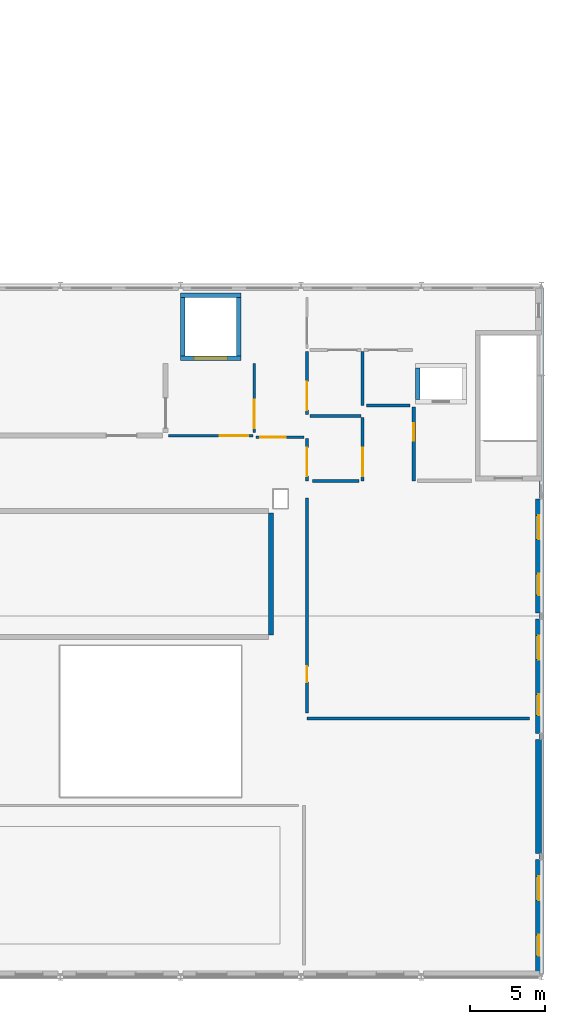
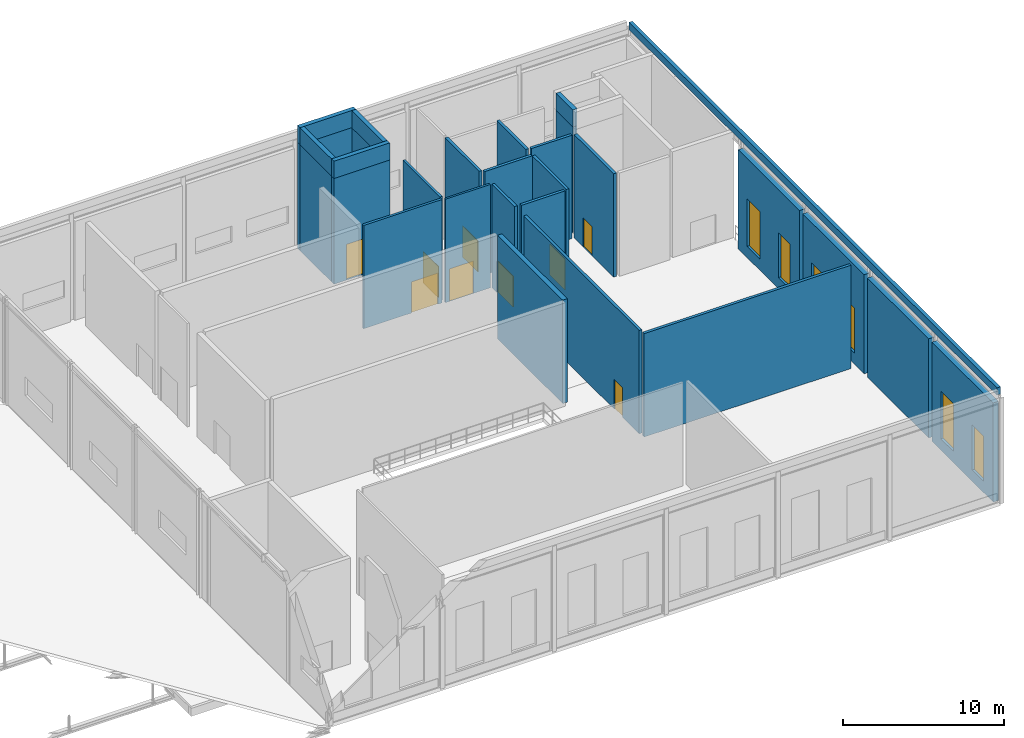
# One storey, part 43 of 49: 29 walls, 9 doors, 6 windows, 15 openings.
"""IFC4 building model written with IfcOpenShell, lengths in metres."""

from ifc_helpers import new_model, si_unit, direction, frame, frame_2d, origin, place, context, subcontext, project, spatial, rectangle, extrude, material, layer, layer_set, type_object, element, fill, save


model = new_model("IFC4")

# Units and contexts
model_context = context("Model", 3, precision=1e-05, world=origin(), true_north=direction((0.0, 1.0)))
body_context = subcontext(model_context, "Body", "Model", "MODEL_VIEW")
ifc_project = project(units=[si_unit("LENGTHUNIT", "METRE"), si_unit("AREAUNIT", "SQUARE_METRE"), si_unit("VOLUMEUNIT", "CUBIC_METRE"), si_unit("PLANEANGLEUNIT", "RADIAN"), si_unit("MASSUNIT", "GRAM", prefix="KILO")], contexts=[model_context])

# Site, building, storey
site_placement = place(None, origin())
site = spatial("IfcSite", under=ifc_project, at=site_placement, CompositionType="ELEMENT")
building_placement = place(site_placement, origin())
building = spatial("IfcBuilding", under=site, at=building_placement, Name="Sundkrona Museum", CompositionType="ELEMENT")
storey_placement = place(building_placement, frame((0.0, 0.0, 26.0)))
storey = spatial("IfcBuildingStorey", under=building, at=storey_placement, Name="L05", CompositionType="ELEMENT", Elevation=26.0)

# Walls
ifc_material_1 = material(Name="Concrete C40/50", Category="concrete")
ifc_layer_1 = layer(ifc_material_1, 0.330078125)
ifc_layer_set_1 = layer_set([ifc_layer_1], Name="Concrete C40/50")
wall_type_1 = type_object("IfcWallType", Name="W-ARC-120", PredefinedType="SOLIDWALL", material=ifc_layer_set_1)
wall_1_placement = place(storey_placement, frame((150.0, 22.75, 0.0), z_axis=(0.0, 0.0, 1.0), x_axis=(0.0, 1.0, 0.0)))
element("IfcWall", 1, at=wall_1_placement, inside=storey, type_object=wall_type_1, Name="L05 Herbarium Specimen Archive Enclosure Wall E", PredefinedType="SOLIDWALL", context=body_context, shape_type="SweptSolid", body=[
    extrude(rectangle(XDim=8.10009765625, YDim=0.330078125, at=frame_2d((4.050048828125, 0.0))), origin(), (0.0, 0.0, 1.0), 7.820068359375),
])
ifc_layer_2 = layer(ifc_material_1, 0.300048828125)
ifc_layer_set_2 = layer_set([ifc_layer_2], Name="Concrete C40/50")
wall_type_2 = type_object("IfcWallType", Name="W-CORE-300", PredefinedType="SHEAR", material=ifc_layer_set_2)
wall_2_placement = place(storey_placement, frame((159.75, 38.409912109375, 0.0), z_axis=(0.0, 0.0, 1.0), x_axis=(0.0, 1.0, 0.0)))
element("IfcWall", 2, at=wall_2_placement, inside=storey, type_object=wall_type_2, Name="L05 PL-1 Lift Shaft Wall West", PredefinedType="SHEAR", context=body_context, shape_type="SweptSolid", body=[
    extrude(rectangle(XDim=2.080078125, YDim=0.300048828125, at=frame_2d((1.0400390625, 0.0))), origin(), (0.0, 0.0, 1.0), 8.0),
])
wall_3_placement = place(storey_placement, frame((159.75, 38.409912109375, 8.0), z_axis=(0.0, 0.0, 1.0), x_axis=(0.0, 1.0, 0.0)))
element("IfcWall", 3, at=wall_3_placement, inside=storey, type_object=wall_type_2, Name="PL-1 Lift Overrun Wall West", PredefinedType="SHEAR", context=body_context, shape_type="SweptSolid", body=[
    extrude(rectangle(XDim=2.080078125, YDim=0.300048828125, at=frame_2d((1.0400390625, 0.0))), origin(), (0.0, 0.0, 1.0), 1.300048828125),
])

# Wall, opening, door
wall_4_placement = place(storey_placement, frame((144.0, 41.14990234375, 0.0), z_axis=(0.0, 0.0, 1.0), x_axis=(1.0, 0.0, 0.0)))
wall_4 = element("IfcWall", 4, at=wall_4_placement, inside=storey, type_object=wall_type_2, Name="L05 GL-1 Lift Shaft Wall South", PredefinedType="SHEAR", context=body_context, shape_type="SweptSolid", body=[
    extrude(rectangle(XDim=4.0, YDim=0.300048828125, at=frame_2d((2.0, 0.0))), origin(), (0.0, 0.0, 1.0), 8.0),
])
opening_1_placement = place(wall_4_placement, frame((0.89990234375, 0.0, 0.0)))
opening_1 = element("IfcOpeningElement", 5, at=opening_1_placement, cuts=wall_4, Name="Opening LD-GL", PredefinedType="OPENING", context=body_context, shape_type="SweptSolid", body=[
    extrude(rectangle(XDim=2.199951171875, YDim=2.699951171875, at=frame_2d((1.10009765625, 1.35009765625))), frame((0.0, 0.159912109375, 0.0), z_axis=(0.0, -1.0, 0.0), x_axis=(1.0, 0.0, 0.0)), (0.0, 0.0, 1.0), 0.320068359375),
])
ifc_material_2 = material(Name="Heavy Stainless Steel Goods Lift Door", Category="steel")
door_type_1 = type_object("IfcDoorType", Name="LD-GL", OperationType="DOUBLE_DOOR_SLIDING", PredefinedType="DOOR", material=ifc_material_2)
door_1_placement = place(opening_1_placement, origin())
door_1 = element("IfcDoor", 6, at=door_1_placement, inside=storey, type_object=door_type_1, Name="L05 Goods Lift Landing Door DR-LIFT-GL-1-L05", OperationType="DOUBLE_DOOR_SLIDING", OverallHeight=2.699951171875, OverallWidth=2.199951171875, PredefinedType="DOOR", context=body_context, shape_type="SweptSolid", body=[
    extrude(rectangle(XDim=2.199951171875, YDim=2.699951171875, at=frame_2d((1.10009765625, 1.35009765625))), frame((0.0, 0.02490234375, 0.0), z_axis=(0.0, -1.0, 0.0), x_axis=(1.0, 0.0, 0.0)), (0.0, 0.0, 1.0), 0.050048828125),
])
fill(opening_1, door_1)

# Walls
wall_5_placement = place(storey_placement, frame((144.0, 45.35009765625, 0.0), z_axis=(0.0, 0.0, 1.0), x_axis=(1.0, 0.0, 0.0)))
element("IfcWall", 7, at=wall_5_placement, inside=storey, type_object=wall_type_2, Name="L05 GL-1 Lift Shaft Wall North", PredefinedType="SHEAR", context=body_context, shape_type="SweptSolid", body=[
    extrude(rectangle(XDim=4.0, YDim=0.300048828125, at=frame_2d((2.0, 0.0))), origin(), (0.0, 0.0, 1.0), 8.0),
])
for number, where, z_axis, x_axis, name in (
    (8, (144.14990234375, 41.31005859375, 0.0), (0.0, 0.0, 1.0), (0.0, 1.0, 0.0), "L05 GL-1 Lift Shaft Wall West"),
    (9, (147.85009765625, 41.31005859375, 0.0), (0.0, 0.0, 1.0), (0.0, 1.0, 0.0), "L05 GL-1 Lift Shaft Wall East"),
):
    element("IfcWall", number, at=place(storey_placement, frame(where, z_axis=z_axis, x_axis=x_axis)), inside=storey, type_object=wall_type_2, Name=name, PredefinedType="SHEAR", context=body_context, shape_type="SweptSolid", body=[
        extrude(rectangle(XDim=3.8798828125, YDim=0.300048828125, at=frame_2d((1.93994140625, 0.0))), origin(), (0.0, 0.0, 1.0), 8.0),
    ])
for number, where, z_axis, x_axis, name in (
    (10, (144.0, 41.14990234375, 8.0), (0.0, 0.0, 1.0), (1.0, 0.0, 0.0), "GL-1 Lift Overrun Wall South"),
    (11, (144.0, 45.35009765625, 8.0), (0.0, 0.0, 1.0), (1.0, 0.0, 0.0), "GL-1 Lift Overrun Wall North"),
):
    element("IfcWall", number, at=place(storey_placement, frame(where, z_axis=z_axis, x_axis=x_axis)), inside=storey, type_object=wall_type_2, Name=name, PredefinedType="SHEAR", context=body_context, shape_type="SweptSolid", body=[
        extrude(rectangle(XDim=4.0, YDim=0.300048828125, at=frame_2d((2.0, 0.0))), origin(), (0.0, 0.0, 1.0), 1.300048828125),
    ])
for number, where, z_axis, x_axis, name in (
    (12, (144.14990234375, 41.31005859375, 8.0), (0.0, 0.0, 1.0), (0.0, 1.0, 0.0), "GL-1 Lift Overrun Wall West"),
    (13, (147.85009765625, 41.31005859375, 8.0), (0.0, 0.0, 1.0), (0.0, 1.0, 0.0), "GL-1 Lift Overrun Wall East"),
):
    element("IfcWall", number, at=place(storey_placement, frame(where, z_axis=z_axis, x_axis=x_axis)), inside=storey, type_object=wall_type_2, Name=name, PredefinedType="SHEAR", context=body_context, shape_type="SweptSolid", body=[
        extrude(rectangle(XDim=3.8798828125, YDim=0.300048828125, at=frame_2d((1.93994140625, 0.0))), origin(), (0.0, 0.0, 1.0), 1.300048828125),
    ])

# Wall, openings, windows
ifc_material_3 = material(Name="Scanian Polychrome Clay Brickwork 390 mm", Category="masonry")
ifc_layer_3 = layer(ifc_material_3, 0.389892578125)
ifc_layer_set_3 = layer_set([ifc_layer_3], Name="Scanian Polychrome Clay Brickwork 390 mm")
wall_type_3 = type_object("IfcWallType", Name="W-EX-390", PredefinedType="SOLIDWALL", material=ifc_layer_set_3)
wall_6_placement = place(storey_placement, frame((167.804931640625, 7.798095703125, 0.0), z_axis=(0.0, 0.0, 1.0), x_axis=(0.0, -1.0, 0.0)))
wall_6 = element("IfcWall", 14, at=wall_6_placement, inside=storey, type_object=wall_type_3, Name="L05 Facade Wall 0074", PredefinedType="SOLIDWALL", context=body_context, shape_type="SweptSolid", body=[
    extrude(rectangle(XDim=7.59619140625, YDim=0.389892578125, at=frame_2d((3.798095703125, 0.0))), origin(), (0.0, 0.0, 1.0), 7.4951171875),
])
opening_2_placement = place(wall_6_placement, frame((1.09912109375, 0.0, 0.85009765625)))
opening_2 = element("IfcOpeningElement", 15, at=opening_2_placement, cuts=wall_6, Name="Opening WN-LN-160x360", PredefinedType="OPENING", context=body_context, shape_type="SweptSolid", body=[
    extrude(rectangle(XDim=1.60009765625, YDim=3.60009765625, at=frame_2d((0.800048828125, 1.800048828125))), frame((0.0, 0.204833984375, 0.0), z_axis=(0.0, -1.0, 0.0), x_axis=(1.0, 0.0, 0.0)), (0.0, 0.0, 1.0), 0.409912109375),
])
opening_3_placement = place(wall_6_placement, frame((4.9970703125, 0.0, 0.85009765625)))
opening_3 = element("IfcOpeningElement", 16, at=opening_3_placement, cuts=wall_6, Name="Opening WN-LN-140x340", PredefinedType="OPENING", context=body_context, shape_type="SweptSolid", body=[
    extrude(rectangle(XDim=1.39990234375, YDim=3.39990234375, at=frame_2d((0.699951171875, 1.699951171875))), frame((0.0, 0.204833984375, 0.0), z_axis=(0.0, -1.0, 0.0), x_axis=(1.0, 0.0, 0.0)), (0.0, 0.0, 1.0), 0.409912109375),
])
ifc_material_4 = material(Name="Triple Low-E Argon Glazing in Bronze-Anodised Aluminium", Category="aluminium")
window_type_1 = type_object("IfcWindowType", Name="WN-LN-140x340", PartitioningType="SINGLE_PANEL", PredefinedType="WINDOW", material=ifc_material_4)
window_1_placement = place(opening_3_placement, origin())
window_1 = element("IfcWindow", 17, at=window_1_placement, inside=storey, type_object=window_type_1, Name="L05 Tall brick-pier gallery window 1400x3400 WIN-L05-0102", OverallHeight=3.39990234375, OverallWidth=1.39990234375, PartitioningType="SINGLE_PANEL", PredefinedType="WINDOW", context=body_context, shape_type="SweptSolid", body=[
    extrude(rectangle(XDim=1.39990234375, YDim=3.39990234375, at=frame_2d((0.699951171875, 1.699951171875))), frame((0.0, 0.030029296875, 0.0), z_axis=(0.0, -1.0, 0.0), x_axis=(1.0, 0.0, 0.0)), (0.0, 0.0, 1.0), 0.06005859375),
])
fill(opening_3, window_1)
window_type_2 = type_object("IfcWindowType", Name="WN-LN-160x360", PartitioningType="DOUBLE_PANEL_VERTICAL", PredefinedType="WINDOW", material=ifc_material_4)
window_2_placement = place(opening_2_placement, origin())
window_2 = element("IfcWindow", 18, at=window_2_placement, inside=storey, type_object=window_type_2, Name="L05 Monumental double-height lancet window 1600x3600 WIN-L05-0101", OverallHeight=3.60009765625, OverallWidth=1.60009765625, PartitioningType="DOUBLE_PANEL_VERTICAL", PredefinedType="WINDOW", context=body_context, shape_type="SweptSolid", body=[
    extrude(rectangle(XDim=1.60009765625, YDim=3.60009765625, at=frame_2d((0.800048828125, 1.800048828125))), frame((0.0, 0.030029296875, 0.0), z_axis=(0.0, -1.0, 0.0), x_axis=(1.0, 0.0, 0.0)), (0.0, 0.0, 1.0), 0.06005859375),
])
fill(opening_2, window_2)

# Wall
wall_7_placement = place(storey_placement, frame((167.804931640625, 15.798095703125, 0.0), z_axis=(0.0, 0.0, 1.0), x_axis=(0.0, -1.0, 0.0)))
element("IfcWall", 19, at=wall_7_placement, inside=storey, type_object=wall_type_3, Name="L05 Facade Wall 0075", PredefinedType="SOLIDWALL", context=body_context, shape_type="SweptSolid", body=[
    extrude(rectangle(XDim=7.59619140625, YDim=0.389892578125, at=frame_2d((3.798095703125, 0.0))), origin(), (0.0, 0.0, 1.0), 7.4951171875),
])

# Wall, openings, windows
wall_8_placement = place(storey_placement, frame((167.804931640625, 23.798095703125, 0.0), z_axis=(0.0, 0.0, 1.0), x_axis=(0.0, -1.0, 0.0)))
wall_8 = element("IfcWall", 20, at=wall_8_placement, inside=storey, type_object=wall_type_3, Name="L05 Facade Wall 0076", PredefinedType="SOLIDWALL", context=body_context, shape_type="SweptSolid", body=[
    extrude(rectangle(XDim=7.59619140625, YDim=0.389892578125, at=frame_2d((3.798095703125, 0.0))), origin(), (0.0, 0.0, 1.0), 7.4951171875),
])
opening_4_placement = place(wall_8_placement, frame((1.09912109375, 0.0, 0.85009765625)))
opening_4 = element("IfcOpeningElement", 21, at=opening_4_placement, cuts=wall_8, Name="Opening WN-LN-160x360", PredefinedType="OPENING", context=body_context, shape_type="SweptSolid", body=[
    extrude(rectangle(XDim=1.60009765625, YDim=3.60009765625, at=frame_2d((0.800048828125, 1.800048828125))), frame((0.0, 0.204833984375, 0.0), z_axis=(0.0, -1.0, 0.0), x_axis=(1.0, 0.0, 0.0)), (0.0, 0.0, 1.0), 0.409912109375),
])
opening_5_placement = place(wall_8_placement, frame((4.9970703125, 0.0, 0.85009765625)))
opening_5 = element("IfcOpeningElement", 22, at=opening_5_placement, cuts=wall_8, Name="Opening WN-LN-140x340", PredefinedType="OPENING", context=body_context, shape_type="SweptSolid", body=[
    extrude(rectangle(XDim=1.39990234375, YDim=3.39990234375, at=frame_2d((0.699951171875, 1.699951171875))), frame((0.0, 0.204833984375, 0.0), z_axis=(0.0, -1.0, 0.0), x_axis=(1.0, 0.0, 0.0)), (0.0, 0.0, 1.0), 0.409912109375),
])
window_3_placement = place(opening_5_placement, origin())
window_3 = element("IfcWindow", 23, at=window_3_placement, inside=storey, type_object=window_type_1, Name="L05 Tall brick-pier gallery window 1400x3400 WIN-L05-0104", OverallHeight=3.39990234375, OverallWidth=1.39990234375, PartitioningType="SINGLE_PANEL", PredefinedType="WINDOW", context=body_context, shape_type="SweptSolid", body=[
    extrude(rectangle(XDim=1.39990234375, YDim=3.39990234375, at=frame_2d((0.699951171875, 1.699951171875))), frame((0.0, 0.030029296875, 0.0), z_axis=(0.0, -1.0, 0.0), x_axis=(1.0, 0.0, 0.0)), (0.0, 0.0, 1.0), 0.06005859375),
])
fill(opening_5, window_3)
window_4_placement = place(opening_4_placement, origin())
window_4 = element("IfcWindow", 24, at=window_4_placement, inside=storey, type_object=window_type_2, Name="L05 Monumental double-height lancet window 1600x3600 WIN-L05-0103", OverallHeight=3.60009765625, OverallWidth=1.60009765625, PartitioningType="DOUBLE_PANEL_VERTICAL", PredefinedType="WINDOW", context=body_context, shape_type="SweptSolid", body=[
    extrude(rectangle(XDim=1.60009765625, YDim=3.60009765625, at=frame_2d((0.800048828125, 1.800048828125))), frame((0.0, 0.030029296875, 0.0), z_axis=(0.0, -1.0, 0.0), x_axis=(1.0, 0.0, 0.0)), (0.0, 0.0, 1.0), 0.06005859375),
])
fill(opening_4, window_4)

wall_9_placement = place(storey_placement, frame((167.804931640625, 31.798095703125, 0.0), z_axis=(0.0, 0.0, 1.0), x_axis=(0.0, -1.0, 0.0)))
wall_9 = element("IfcWall", 25, at=wall_9_placement, inside=storey, type_object=wall_type_3, Name="L05 Facade Wall 0077", PredefinedType="SOLIDWALL", context=body_context, shape_type="SweptSolid", body=[
    extrude(rectangle(XDim=7.59619140625, YDim=0.389892578125, at=frame_2d((3.798095703125, 0.0))), origin(), (0.0, 0.0, 1.0), 7.4951171875),
])
opening_6_placement = place(wall_9_placement, frame((1.09912109375, 0.0, 0.85009765625)))
opening_6 = element("IfcOpeningElement", 26, at=opening_6_placement, cuts=wall_9, Name="Opening WN-LN-160x360", PredefinedType="OPENING", context=body_context, shape_type="SweptSolid", body=[
    extrude(rectangle(XDim=1.60009765625, YDim=3.60009765625, at=frame_2d((0.800048828125, 1.800048828125))), frame((0.0, 0.204833984375, 0.0), z_axis=(0.0, -1.0, 0.0), x_axis=(1.0, 0.0, 0.0)), (0.0, 0.0, 1.0), 0.409912109375),
])
opening_7_placement = place(wall_9_placement, frame((4.9970703125, 0.0, 0.85009765625)))
opening_7 = element("IfcOpeningElement", 27, at=opening_7_placement, cuts=wall_9, Name="Opening WN-LN-140x340", PredefinedType="OPENING", context=body_context, shape_type="SweptSolid", body=[
    extrude(rectangle(XDim=1.39990234375, YDim=3.39990234375, at=frame_2d((0.699951171875, 1.699951171875))), frame((0.0, 0.204833984375, 0.0), z_axis=(0.0, -1.0, 0.0), x_axis=(1.0, 0.0, 0.0)), (0.0, 0.0, 1.0), 0.409912109375),
])
window_5_placement = place(opening_7_placement, origin())
window_5 = element("IfcWindow", 28, at=window_5_placement, inside=storey, type_object=window_type_1, Name="L05 Tall brick-pier gallery window 1400x3400 WIN-L05-0106", OverallHeight=3.39990234375, OverallWidth=1.39990234375, PartitioningType="SINGLE_PANEL", PredefinedType="WINDOW", context=body_context, shape_type="SweptSolid", body=[
    extrude(rectangle(XDim=1.39990234375, YDim=3.39990234375, at=frame_2d((0.699951171875, 1.699951171875))), frame((0.0, 0.030029296875, 0.0), z_axis=(0.0, -1.0, 0.0), x_axis=(1.0, 0.0, 0.0)), (0.0, 0.0, 1.0), 0.06005859375),
])
fill(opening_7, window_5)
window_6_placement = place(opening_6_placement, origin())
window_6 = element("IfcWindow", 29, at=window_6_placement, inside=storey, type_object=window_type_2, Name="L05 Monumental double-height lancet window 1600x3600 WIN-L05-0105", OverallHeight=3.60009765625, OverallWidth=1.60009765625, PartitioningType="DOUBLE_PANEL_VERTICAL", PredefinedType="WINDOW", context=body_context, shape_type="SweptSolid", body=[
    extrude(rectangle(XDim=1.60009765625, YDim=3.60009765625, at=frame_2d((0.800048828125, 1.800048828125))), frame((0.0, 0.030029296875, 0.0), z_axis=(0.0, -1.0, 0.0), x_axis=(1.0, 0.0, 0.0)), (0.0, 0.0, 1.0), 0.06005859375),
])
fill(opening_6, window_6)

# Wall, opening, door
ifc_material_5 = material(Name="Autoclaved Aerated Masonry 225 mm", Category="masonry")
ifc_layer_4 = layer(ifc_material_5, 0.22509765625)
ifc_layer_set_4 = layer_set([ifc_layer_4], Name="Autoclaved Aerated Masonry 225 mm")
wall_type_4 = type_object("IfcWallType", Name="W-FF-225", PredefinedType="SOLIDWALL", material=ifc_layer_set_4)
wall_10_placement = place(storey_placement, frame((159.5, 33.0, 0.0), z_axis=(0.0, 0.0, 1.0), x_axis=(0.0, 1.0, 0.0)))
wall_10 = element("IfcWall", 30, at=wall_10_placement, inside=storey, type_object=wall_type_4, Name="L05 Partition Firefighting Lobby / Crown Rescue Lobby Link", PredefinedType="SOLIDWALL", context=body_context, shape_type="SweptSolid", body=[
    extrude(rectangle(XDim=4.89990234375, YDim=0.22509765625, at=frame_2d((2.449951171875, 0.0))), origin(), (0.0, 0.0, 1.0), 7.820068359375),
])
opening_8_placement = place(wall_10_placement, frame((2.66259765625, 0.0, 0.0)))
opening_8 = element("IfcOpeningElement", 31, at=opening_8_placement, cuts=wall_10, Name="Opening D-FF60", PredefinedType="OPENING", context=body_context, shape_type="SweptSolid", body=[
    extrude(rectangle(XDim=1.14990234375, YDim=2.199951171875, at=frame_2d((0.574951171875, 1.10009765625))), frame((0.0, 0.12255859375, 0.0), z_axis=(0.0, -1.0, 0.0), x_axis=(1.0, 0.0, 0.0)), (0.0, 0.0, 1.0), 0.2451171875),
])
ifc_material_6 = material(Name="Steel S355J2 Fire Door Leaf", Category="steel")
door_type_2 = type_object("IfcDoorType", Name="D-FF60", OperationType="NOTDEFINED", PredefinedType="DOOR", material=ifc_material_6)
door_2_placement = place(opening_8_placement, origin())
door_2 = element("IfcDoor", 32, at=door_2_placement, inside=storey, type_object=door_type_2, Name="L05 Interior Door DR-ADJ-L05-0205", OperationType="SINGLE_SWING_LEFT", OverallHeight=2.199951171875, OverallWidth=1.14990234375, PredefinedType="DOOR", context=body_context, shape_type="SweptSolid", body=[
    extrude(rectangle(XDim=1.14990234375, YDim=2.199951171875, at=frame_2d((0.574951171875, 1.10009765625))), frame((0.0, 0.02490234375, 0.0), z_axis=(0.0, -1.0, 0.0), x_axis=(1.0, 0.0, 0.0)), (0.0, 0.0, 1.0), 0.050048828125),
])
fill(opening_8, door_2)

# Wall
ifc_material_7 = material(Name="Copper-capped Scanian Brick Masonry 250 mm", Category="masonry")
ifc_layer_5 = layer(ifc_material_7, 0.25)
ifc_layer_set_5 = layer_set([ifc_layer_5], Name="Copper-capped Scanian Brick Masonry 250 mm")
wall_type_5 = type_object("IfcWallType", Name="W-PR-250", PredefinedType="PARAPET", material=ifc_layer_set_5)
wall_11_placement = place(storey_placement, frame((168.0, 0.199951171875, 8.0), z_axis=(0.0, 0.0, 1.0), x_axis=(0.0, 1.0, 0.0)))
element("IfcWall", 33, at=wall_11_placement, inside=storey, type_object=wall_type_5, Name="L05 Roof Parapet Upstand 05", PredefinedType="PARAPET", context=body_context, shape_type="SweptSolid", body=[
    extrude(rectangle(XDim=45.60009765625, YDim=0.25, at=frame_2d((22.800048828125, 0.0))), origin(), (0.0, 0.0, 1.0), 0.550048828125),
])

# Wall, opening, door
ifc_material_8 = material(Name="Acoustic Gypsum Partition Board 150 mm", Category="other")
ifc_layer_6 = layer(ifc_material_8, 0.14990234375)
ifc_layer_set_6 = layer_set([ifc_layer_6], Name="Acoustic Gypsum Partition Board 150 mm")
wall_type_6 = type_object("IfcWallType", Name="W-PT-150", PredefinedType="PARTITIONING", material=ifc_layer_set_6)
wall_12_placement = place(storey_placement, frame((149.0, 35.89990234375, 0.0), z_axis=(0.0, 0.0, 1.0), x_axis=(1.0, 0.0, 0.0)))
wall_12 = element("IfcWall", 34, at=wall_12_placement, inside=storey, type_object=wall_type_6, Name="L05 Partition Crown North Link Corridor / Crown Core 1 Connector", PredefinedType="PARTITIONING", context=body_context, shape_type="SweptSolid", body=[
    extrude(rectangle(XDim=3.199951171875, YDim=0.14990234375, at=frame_2d((1.60009765625, 0.0))), origin(), (0.0, 0.0, 1.0), 7.820068359375),
])
opening_9_placement = place(wall_12_placement, frame((0.300048828125, 0.0, 0.0)))
opening_9 = element("IfcOpeningElement", 35, at=opening_9_placement, cuts=wall_12, Name="Opening D-GAL-170", PredefinedType="OPENING", context=body_context, shape_type="SweptSolid", body=[
    extrude(rectangle(XDim=1.699951171875, YDim=2.449951171875, at=frame_2d((0.85009765625, 1.22509765625))), frame((0.0, 0.0849609375, 0.0), z_axis=(0.0, -1.0, 0.0), x_axis=(1.0, 0.0, 0.0)), (0.0, 0.0, 1.0), 0.169921875),
])
ifc_material_9 = material(Name="European Oak Gallery Door", Category="other")
door_type_3 = type_object("IfcDoorType", Name="D-GAL-170", OperationType="DOUBLE_DOOR_SINGLE_SWING", PredefinedType="DOOR", material=ifc_material_9)
door_3_placement = place(opening_9_placement, origin())
door_3 = element("IfcDoor", 36, at=door_3_placement, inside=storey, type_object=door_type_3, Name="L05 Interior Door DR-ADJ-L05-0220", OperationType="DOUBLE_DOOR_SINGLE_SWING", OverallHeight=2.449951171875, OverallWidth=1.699951171875, PredefinedType="DOOR", context=body_context, shape_type="SweptSolid", body=[
    extrude(rectangle(XDim=1.699951171875, YDim=2.449951171875, at=frame_2d((0.85009765625, 1.22509765625))), frame((0.0, 0.02490234375, 0.0), z_axis=(0.0, -1.0, 0.0), x_axis=(1.0, 0.0, 0.0)), (0.0, 0.0, 1.0), 0.050048828125),
])
fill(opening_9, door_3)

ifc_material_10 = material(Name="Fire-rated Gypsum Partition Board 175 mm", Category="other")
ifc_layer_7 = layer(ifc_material_10, 0.175048828125)
ifc_layer_set_7 = layer_set([ifc_layer_7], Name="Fire-rated Gypsum Partition Board 175 mm")
wall_type_7 = type_object("IfcWallType", Name="W-PT-175", PredefinedType="PARTITIONING", material=ifc_layer_set_7)
wall_13_placement = place(storey_placement, frame((143.199951171875, 36.0, 0.0), z_axis=(0.0, 0.0, 1.0), x_axis=(1.0, 0.0, 0.0)))
wall_13 = element("IfcWall", 37, at=wall_13_placement, inside=storey, type_object=wall_type_7, Name="L05 Partition Goods Lift Lobby / Crown North Link Corridor", PredefinedType="PARTITIONING", context=body_context, shape_type="SweptSolid", body=[
    extrude(rectangle(XDim=5.60009765625, YDim=0.175048828125, at=frame_2d((2.800048828125, 0.0))), origin(), (0.0, 0.0, 1.0), 7.820068359375),
])
opening_10_placement = place(wall_13_placement, frame((3.39990234375, 0.0, 0.0)))
opening_10 = element("IfcOpeningElement", 38, at=opening_10_placement, cuts=wall_13, Name="Opening D-AUD-190", PredefinedType="OPENING", context=body_context, shape_type="SweptSolid", body=[
    extrude(rectangle(XDim=1.89990234375, YDim=2.35009765625, at=frame_2d((0.949951171875, 1.175048828125))), frame((0.0, 0.097412109375, 0.0), z_axis=(0.0, -1.0, 0.0), x_axis=(1.0, 0.0, 0.0)), (0.0, 0.0, 1.0), 0.195068359375),
])
ifc_material_11 = material(Name="Acoustic Oak Fire Door", Category="other")
door_type_4 = type_object("IfcDoorType", Name="D-AUD-190", OperationType="DOUBLE_DOOR_SINGLE_SWING", PredefinedType="DOOR", material=ifc_material_11)
door_4_placement = place(opening_10_placement, origin())
door_4 = element("IfcDoor", 39, at=door_4_placement, inside=storey, type_object=door_type_4, Name="L05 Interior Door DR-ADJ-L05-0206", OperationType="DOUBLE_DOOR_SINGLE_SWING", OverallHeight=2.35009765625, OverallWidth=1.89990234375, PredefinedType="DOOR", context=body_context, shape_type="SweptSolid", body=[
    extrude(rectangle(XDim=1.89990234375, YDim=2.35009765625, at=frame_2d((0.949951171875, 1.175048828125))), frame((0.0, 0.02490234375, 0.0), z_axis=(0.0, -1.0, 0.0), x_axis=(1.0, 0.0, 0.0)), (0.0, 0.0, 1.0), 0.050048828125),
])
fill(opening_10, door_4)

wall_14_placement = place(storey_placement, frame((148.89990234375, 36.199951171875, 0.0), z_axis=(0.0, 0.0, 1.0), x_axis=(0.0, 1.0, 0.0)))
wall_14 = element("IfcWall", 40, at=wall_14_placement, inside=storey, type_object=wall_type_7, Name="L05 Partition Goods Lift Lobby / Crown Core 1 Connector", PredefinedType="PARTITIONING", context=body_context, shape_type="SweptSolid", body=[
    extrude(rectangle(XDim=4.60009765625, YDim=0.175048828125, at=frame_2d((2.300048828125, 0.0))), origin(), (0.0, 0.0, 1.0), 7.820068359375),
])
opening_11_placement = place(wall_14_placement, frame((0.300048828125, 0.0, 0.0)))
opening_11 = element("IfcOpeningElement", 41, at=opening_11_placement, cuts=wall_14, Name="Opening D-AUD-190", PredefinedType="OPENING", context=body_context, shape_type="SweptSolid", body=[
    extrude(rectangle(XDim=1.89990234375, YDim=2.35009765625, at=frame_2d((0.949951171875, 1.175048828125))), frame((0.0, 0.097412109375, 0.0), z_axis=(0.0, -1.0, 0.0), x_axis=(1.0, 0.0, 0.0)), (0.0, 0.0, 1.0), 0.195068359375),
])
door_5_placement = place(opening_11_placement, origin())
door_5 = element("IfcDoor", 42, at=door_5_placement, inside=storey, type_object=door_type_4, Name="L05 Interior Door DR-ADJ-L05-0207", OperationType="DOUBLE_DOOR_SINGLE_SWING", OverallHeight=2.35009765625, OverallWidth=1.89990234375, PredefinedType="DOOR", context=body_context, shape_type="SweptSolid", body=[
    extrude(rectangle(XDim=1.89990234375, YDim=2.35009765625, at=frame_2d((0.949951171875, 1.175048828125))), frame((0.0, 0.02490234375, 0.0), z_axis=(0.0, -1.0, 0.0), x_axis=(1.0, 0.0, 0.0)), (0.0, 0.0, 1.0), 0.050048828125),
])
fill(opening_11, door_5)

# Wall
ifc_material_12 = material(Name="Moisture-resistant Tile Partition 200 mm", Category="other")
ifc_layer_8 = layer(ifc_material_12, 0.199951171875)
ifc_layer_set_8 = layer_set([ifc_layer_8], Name="Moisture-resistant Tile Partition 200 mm")
wall_type_8 = type_object("IfcWallType", Name="W-PT-200", PredefinedType="PARTITIONING", material=ifc_layer_set_8)
wall_15_placement = place(storey_placement, frame((152.60009765625, 37.300048828125, 0.0), z_axis=(0.0, 0.0, 1.0), x_axis=(1.0, 0.0, 0.0)))
element("IfcWall", 43, at=wall_15_placement, inside=storey, type_object=wall_type_8, Name="L05 Partition Male Toilet / Female Toilet", PredefinedType="PARTITIONING", context=body_context, shape_type="SweptSolid", body=[
    extrude(rectangle(XDim=3.39990234375, YDim=0.199951171875, at=frame_2d((1.699951171875, 0.0))), origin(), (0.0, 0.0, 1.0), 7.820068359375),
])

# Wall, opening, door
wall_16_placement = place(storey_placement, frame((152.39990234375, 33.0, 0.0), z_axis=(0.0, 0.0, 1.0), x_axis=(0.0, 1.0, 0.0)))
wall_16 = element("IfcWall", 44, at=wall_16_placement, inside=storey, type_object=wall_type_8, Name="L05 Partition Male Toilet / Crown North Link Corridor", PredefinedType="PARTITIONING", context=body_context, shape_type="SweptSolid", body=[
    extrude(rectangle(XDim=2.800048828125, YDim=0.199951171875, at=frame_2d((1.39990234375, 0.0))), origin(), (0.0, 0.0, 1.0), 7.820068359375),
])
opening_12_placement = place(wall_16_placement, frame((0.300048828125, 0.0, 0.0)))
opening_12 = element("IfcOpeningElement", 45, at=opening_12_placement, cuts=wall_16, Name="Opening D-AUD-190", PredefinedType="OPENING", context=body_context, shape_type="SweptSolid", body=[
    extrude(rectangle(XDim=1.89990234375, YDim=2.35009765625, at=frame_2d((0.949951171875, 1.175048828125))), frame((0.0, 0.10986328125, 0.0), z_axis=(0.0, -1.0, 0.0), x_axis=(1.0, 0.0, 0.0)), (0.0, 0.0, 1.0), 0.219970703125),
])
door_6_placement = place(opening_12_placement, origin())
door_6 = element("IfcDoor", 46, at=door_6_placement, inside=storey, type_object=door_type_4, Name="L05 Interior Door DR-ADJ-L05-0212", OperationType="DOUBLE_DOOR_SINGLE_SWING", OverallHeight=2.35009765625, OverallWidth=1.89990234375, PredefinedType="DOOR", context=body_context, shape_type="SweptSolid", body=[
    extrude(rectangle(XDim=1.89990234375, YDim=2.35009765625, at=frame_2d((0.949951171875, 1.175048828125))), frame((0.0, 0.02490234375, 0.0), z_axis=(0.0, -1.0, 0.0), x_axis=(1.0, 0.0, 0.0)), (0.0, 0.0, 1.0), 0.050048828125),
])
fill(opening_12, door_6)

wall_17_placement = place(storey_placement, frame((156.10009765625, 33.0, 0.0), z_axis=(0.0, 0.0, 1.0), x_axis=(0.0, 1.0, 0.0)))
wall_17 = element("IfcWall", 47, at=wall_17_placement, inside=storey, type_object=wall_type_8, Name="L05 Partition Male Toilet / Crown Rescue Lobby Link", PredefinedType="PARTITIONING", context=body_context, shape_type="SweptSolid", body=[
    extrude(rectangle(XDim=4.199951171875, YDim=0.199951171875, at=frame_2d((2.10009765625, 0.0))), origin(), (0.0, 0.0, 1.0), 7.820068359375),
])
opening_13_placement = place(wall_17_placement, frame((0.300048828125, 0.0, 0.0)))
opening_13 = element("IfcOpeningElement", 48, at=opening_13_placement, cuts=wall_17, Name="Opening D-AUD-190", PredefinedType="OPENING", context=body_context, shape_type="SweptSolid", body=[
    extrude(rectangle(XDim=1.89990234375, YDim=2.35009765625, at=frame_2d((0.949951171875, 1.175048828125))), frame((0.0, 0.10986328125, 0.0), z_axis=(0.0, -1.0, 0.0), x_axis=(1.0, 0.0, 0.0)), (0.0, 0.0, 1.0), 0.219970703125),
])
door_7_placement = place(opening_13_placement, origin())
door_7 = element("IfcDoor", 49, at=door_7_placement, inside=storey, type_object=door_type_4, Name="L05 Interior Door DR-ADJ-L05-0213", OperationType="DOUBLE_DOOR_SINGLE_SWING", OverallHeight=2.35009765625, OverallWidth=1.89990234375, PredefinedType="DOOR", context=body_context, shape_type="SweptSolid", body=[
    extrude(rectangle(XDim=1.89990234375, YDim=2.35009765625, at=frame_2d((0.949951171875, 1.175048828125))), frame((0.0, 0.02490234375, 0.0), z_axis=(0.0, -1.0, 0.0), x_axis=(1.0, 0.0, 0.0)), (0.0, 0.0, 1.0), 0.050048828125),
])
fill(opening_13, door_7)

# Wall
wall_18_placement = place(storey_placement, frame((156.10009765625, 38.0, 0.0), z_axis=(0.0, 0.0, 1.0), x_axis=(0.0, 1.0, 0.0)))
element("IfcWall", 50, at=wall_18_placement, inside=storey, type_object=wall_type_8, Name="L05 Partition Female Toilet / Accessible WC", PredefinedType="PARTITIONING", context=body_context, shape_type="SweptSolid", body=[
    extrude(rectangle(XDim=3.60009765625, YDim=0.199951171875, at=frame_2d((1.800048828125, 0.0))), origin(), (0.0, 0.0, 1.0), 7.820068359375),
])

# Wall, opening, door
wall_19_placement = place(storey_placement, frame((152.39990234375, 37.39990234375, 0.0), z_axis=(0.0, 0.0, 1.0), x_axis=(0.0, 1.0, 0.0)))
wall_19 = element("IfcWall", 51, at=wall_19_placement, inside=storey, type_object=wall_type_8, Name="L05 Partition Female Toilet / Crown Core 1 Connector", PredefinedType="PARTITIONING", context=body_context, shape_type="SweptSolid", body=[
    extrude(rectangle(XDim=4.2001953125, YDim=0.199951171875, at=frame_2d((2.10009765625, 0.0))), origin(), (0.0, 0.0, 1.0), 7.820068359375),
])
opening_14_placement = place(wall_19_placement, frame((0.300048828125, 0.0, 0.0)))
opening_14 = element("IfcOpeningElement", 52, at=opening_14_placement, cuts=wall_19, Name="Opening D-AUD-190", PredefinedType="OPENING", context=body_context, shape_type="SweptSolid", body=[
    extrude(rectangle(XDim=1.89990234375, YDim=2.35009765625, at=frame_2d((0.949951171875, 1.175048828125))), frame((0.0, 0.10986328125, 0.0), z_axis=(0.0, -1.0, 0.0), x_axis=(1.0, 0.0, 0.0)), (0.0, 0.0, 1.0), 0.219970703125),
])
door_8_placement = place(opening_14_placement, origin())
door_8 = element("IfcDoor", 53, at=door_8_placement, inside=storey, type_object=door_type_4, Name="L05 Interior Door DR-ADJ-L05-0214", OperationType="DOUBLE_DOOR_SINGLE_SWING", OverallHeight=2.35009765625, OverallWidth=1.89990234375, PredefinedType="DOOR", context=body_context, shape_type="SweptSolid", body=[
    extrude(rectangle(XDim=1.89990234375, YDim=2.35009765625, at=frame_2d((0.949951171875, 1.175048828125))), frame((0.0, 0.02490234375, 0.0), z_axis=(0.0, -1.0, 0.0), x_axis=(1.0, 0.0, 0.0)), (0.0, 0.0, 1.0), 0.050048828125),
])
fill(opening_14, door_8)

# Walls
wall_20_placement = place(storey_placement, frame((152.39990234375, 17.199951171875, 0.0), z_axis=(0.0, 0.0, 1.0), x_axis=(1.0, 0.0, 0.0)))
element("IfcWall", 54, at=wall_20_placement, inside=storey, type_object=wall_type_8, Name="L05 Partition Taxidermy Conservation Laboratory / Canvas Restoration Studio", PredefinedType="PARTITIONING", context=body_context, shape_type="SweptSolid", body=[
    extrude(rectangle(XDim=14.800048828125, YDim=0.199951171875, at=frame_2d((7.39990234375, 0.0))), origin(), (0.0, 0.0, 1.0), 7.820068359375),
])
wall_21_placement = place(storey_placement, frame((152.75, 33.0, 0.0), z_axis=(0.0, 0.0, 1.0), x_axis=(1.0, 0.0, 0.0)))
element("IfcWall", 55, at=wall_21_placement, inside=storey, type_object=wall_type_8, Name="L05 Male Toilet Enclosure Wall S", PredefinedType="PARTITIONING", context=body_context, shape_type="SweptSolid", body=[
    extrude(rectangle(XDim=3.10009765625, YDim=0.199951171875, at=frame_2d((1.550048828125, 0.0))), origin(), (0.0, 0.0, 1.0), 7.820068359375),
])
wall_22_placement = place(storey_placement, frame((156.35009765625, 38.0, 0.0), z_axis=(0.0, 0.0, 1.0), x_axis=(1.0, 0.0, 0.0)))
element("IfcWall", 56, at=wall_22_placement, inside=storey, type_object=wall_type_8, Name="L05 Accessible WC Enclosure Wall S", PredefinedType="PARTITIONING", context=body_context, shape_type="SweptSolid", body=[
    extrude(rectangle(XDim=2.89990234375, YDim=0.199951171875, at=frame_2d((1.449951171875, 0.0))), origin(), (0.0, 0.0, 1.0), 7.820068359375),
])

# Wall, opening, door
wall_23_placement = place(storey_placement, frame((152.39990234375, 17.550048828125, 0.0), z_axis=(0.0, 0.0, 1.0), x_axis=(0.0, 1.0, 0.0)))
wall_23 = element("IfcWall", 57, at=wall_23_placement, inside=storey, type_object=wall_type_8, Name="L05 Canvas Restoration Studio Enclosure Wall W", PredefinedType="PARTITIONING", context=body_context, shape_type="SweptSolid", body=[
    extrude(rectangle(XDim=14.300048828125, YDim=0.199951171875, at=frame_2d((7.14990234375, 0.0))), origin(), (0.0, 0.0, 1.0), 7.820068359375),
])
opening_15_placement = place(wall_23_placement, frame((2.056884765625, 0.0, 0.0)))
opening_15 = element("IfcOpeningElement", 58, at=opening_15_placement, cuts=wall_23, Name="Opening D-LAB-105", PredefinedType="OPENING", context=body_context, shape_type="SweptSolid", body=[
    extrude(rectangle(XDim=1.050048828125, YDim=2.25, at=frame_2d((0.52490234375, 1.125))), frame((0.0, 0.10986328125, 0.0), z_axis=(0.0, -1.0, 0.0), x_axis=(1.0, 0.0, 0.0)), (0.0, 0.0, 1.0), 0.219970703125),
])
ifc_material_13 = material(Name="Laminated Timber Lab Door", Category="wood")
door_type_5 = type_object("IfcDoorType", Name="D-LAB-105", OperationType="NOTDEFINED", PredefinedType="DOOR", material=ifc_material_13)
door_9_placement = place(opening_15_placement, origin())
door_9 = element("IfcDoor", 59, at=door_9_placement, inside=storey, type_object=door_type_5, Name="L05 Interior Door DR-INT-L05-0222", OperationType="SINGLE_SWING_LEFT", OverallHeight=2.25, OverallWidth=1.050048828125, PredefinedType="DOOR", context=body_context, shape_type="SweptSolid", body=[
    extrude(rectangle(XDim=1.050048828125, YDim=2.25, at=frame_2d((0.52490234375, 1.125))), frame((0.0, 0.02490234375, 0.0), z_axis=(0.0, -1.0, 0.0), x_axis=(1.0, 0.0, 0.0)), (0.0, 0.0, 1.0), 0.050048828125),
])
fill(opening_15, door_9)

save(model, "model.ifc")
